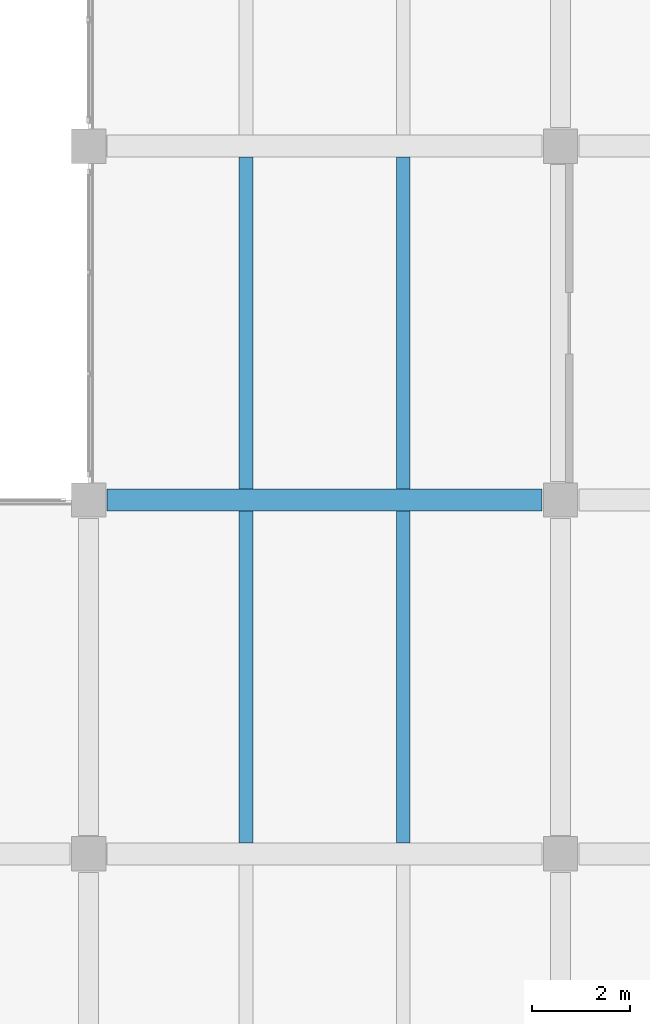
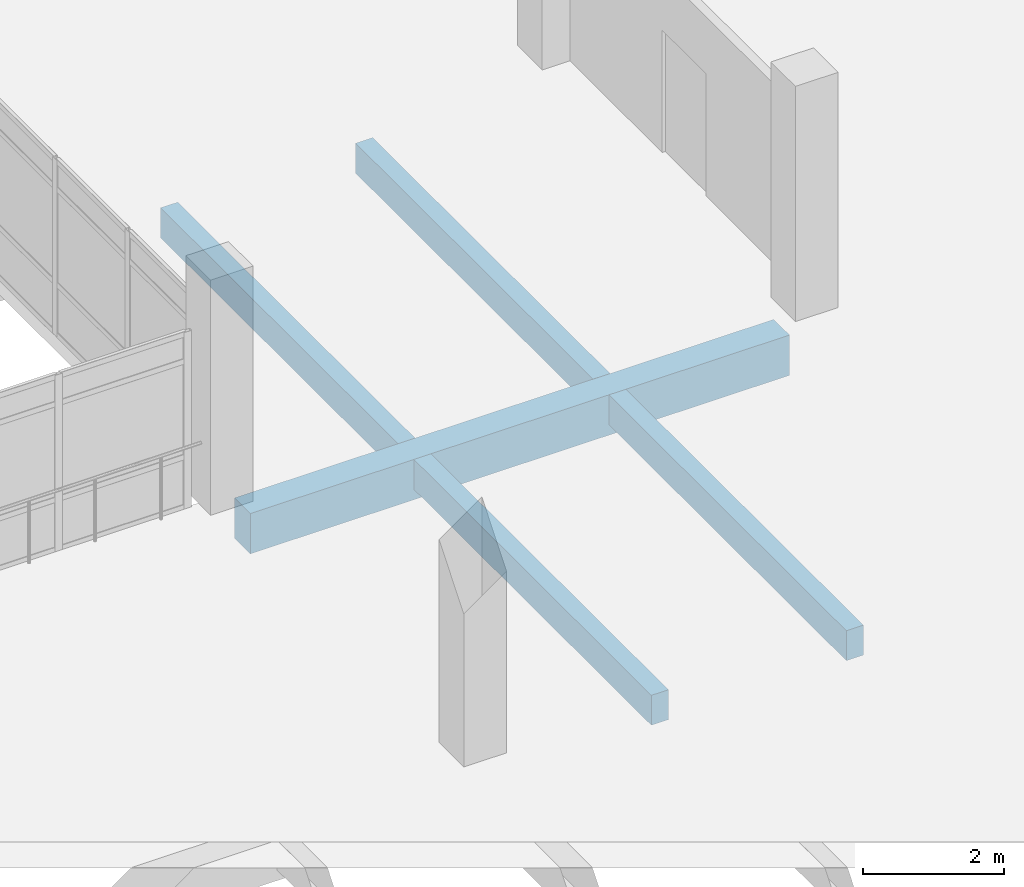
# One storey, part 115 of 180: 5 beams.
"""IFC4 building model written with IfcOpenShell, lengths in metres."""

from ifc_helpers import new_model, si_unit, direction, frame, origin, origin_2d, place, context, subcontext, project, spatial, rectangle, extrude, material, material_profile, profile_set, type_object, element, save


model = new_model("IFC4")

# Units and contexts
model_context = context("Model", 3, precision=1e-05, world=origin(), true_north=direction((0.0, 1.0)))
body_context = subcontext(model_context, "Body", "Model", "MODEL_VIEW")
ifc_project = project(units=[si_unit("LENGTHUNIT", "METRE"), si_unit("AREAUNIT", "SQUARE_METRE"), si_unit("VOLUMEUNIT", "CUBIC_METRE"), si_unit("PLANEANGLEUNIT", "RADIAN"), si_unit("MASSUNIT", "GRAM", prefix="KILO")], contexts=[model_context])

# Site, building, storey
site_placement = place(None, origin())
site = spatial("IfcSite", under=ifc_project, at=site_placement, CompositionType="ELEMENT")
building_placement = place(site_placement, origin())
building = spatial("IfcBuilding", under=site, at=building_placement, Name="Asteropetra Specialist Clinic", CompositionType="ELEMENT")
storey_placement = place(building_placement, frame((0.0, 0.0, 4.419921875)))
storey = spatial("IfcBuildingStorey", under=building, at=storey_placement, Name="L01", CompositionType="ELEMENT", Elevation=4.419921875)

# Beams
ifc_material_1 = material(Name="Concrete C35/45", Category="concrete")
ifc_material_profile_1 = material_profile(ifc_material_1, rectangle(XDim=0.449951171875, YDim=0.699951171875, at=origin_2d()), Name="RCB 450x700")
ifc_profile_set_1 = profile_set([ifc_material_profile_1], Name="Concrete C35/45")
beam_type_1 = type_object("IfcBeamType", Name="BM-RC450x700", PredefinedType="BEAM", material=ifc_profile_set_1)
beam_placement = place(storey_placement, frame((134.77490234375, 19.199951171875, -0.64990234375), z_axis=(1.0, 0.0, 0.0), x_axis=(0.0, 1.0, 0.0)))
element("IfcBeam", 1, at=beam_placement, inside=storey, type_object=beam_type_1, Name="Beam BBM05-0411", PredefinedType="BEAM", context=body_context, shape_type="SweptSolid", body=[
    extrude(rectangle(XDim=0.449951171875, YDim=0.699951171875, at=origin_2d()), origin(), (0.0, 0.0, 1.0), 8.85009765625),
])
ifc_material_2 = material(Name="Concrete C35/45", Category="concrete")
ifc_material_profile_2 = material_profile(ifc_material_2, rectangle(XDim=0.280029296875, YDim=0.52001953125, at=origin_2d()), Name="RCJ 280x520")
ifc_profile_set_2 = profile_set([ifc_material_profile_2], Name="Concrete C35/45")
beam_type_2 = type_object("IfcBeamType", Name="JST-RC280x520", PredefinedType="JOIST", material=ifc_profile_set_2)
for number, where, z_axis, x_axis, name in (
    (2, (137.60009765625, 12.22509765625, -0.559814453125), (0.0, 1.0, 0.0), (-1.0, 0.0, 0.0), "Joist JJST01-0481"),
    (3, (140.800048828125, 12.22509765625, -0.559814453125), (0.0, 1.0, 0.0), (-1.0, 0.0, 0.0), "Joist JJST01-0482"),
    (4, (137.60009765625, 19.425048828125, -0.559814453125), (0.0, 1.0, 0.0), (-1.0, 0.0, 0.0), "Joist JJST01-0493"),
    (5, (140.800048828125, 19.425048828125, -0.559814453125), (0.0, 1.0, 0.0), (-1.0, 0.0, 0.0), "Joist JJST01-0494"),
):
    element("IfcBeam", number, at=place(storey_placement, frame(where, z_axis=z_axis, x_axis=x_axis)), inside=storey, type_object=beam_type_2, Name=name, PredefinedType="JOIST", context=body_context, shape_type="SweptSolid", body=[
        extrude(rectangle(XDim=0.280029296875, YDim=0.52001953125, at=origin_2d()), origin(), (0.0, 0.0, 1.0), 6.75),
    ])

save(model, "model.ifc")
